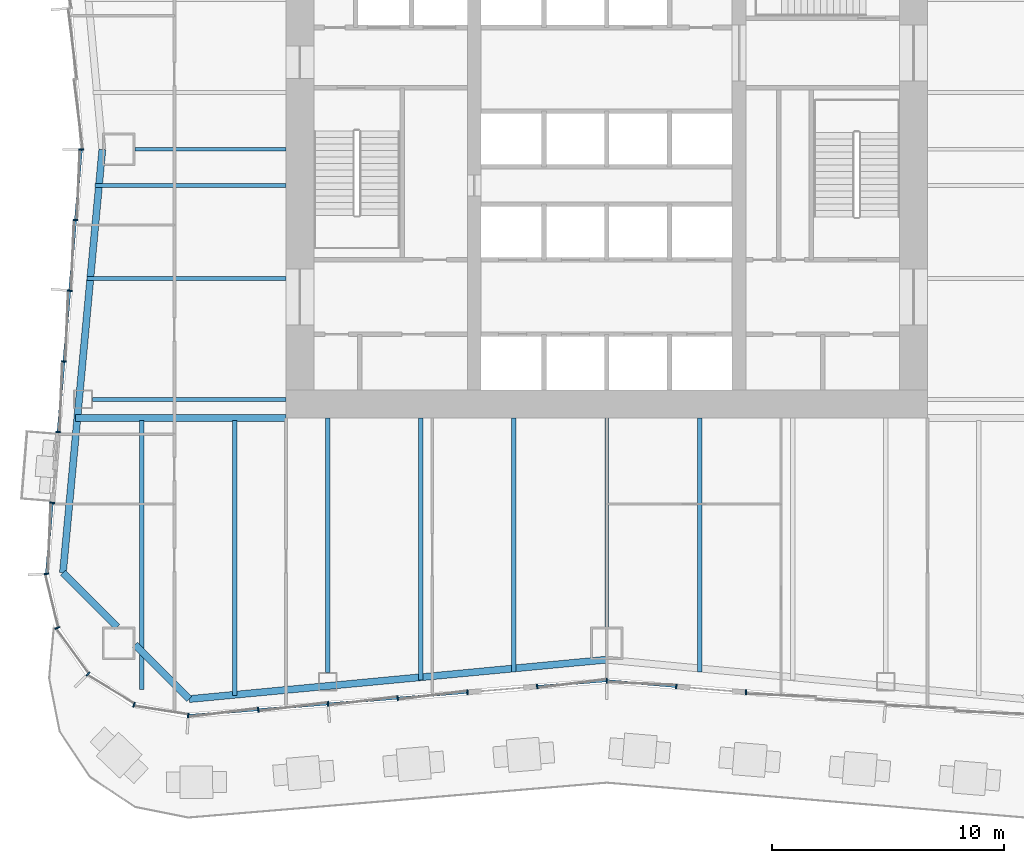
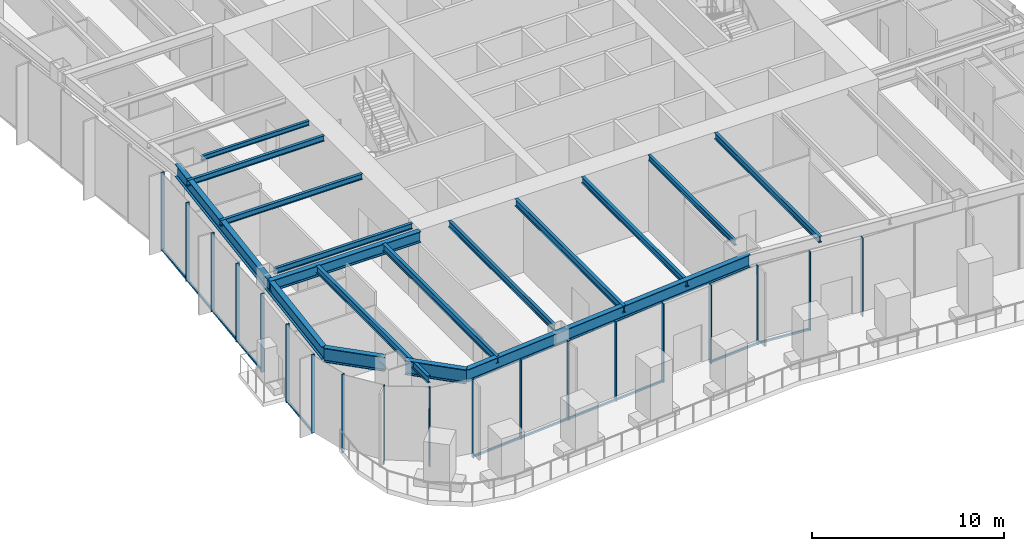
# One storey, part 2 of 15: 24 members, 16 beams, 3 elements without a shape of their own.
"""IFC4 building model written with IfcOpenShell, lengths in metres."""

import ifcopenshell
import ifcopenshell.guid

model = None  # the IFC model being written
_history = None  # IfcOwnerHistory: only IFC2X3 demands one
_inside = {}  # id of a spatial element -> (the spatial element, [elements in it])
_under = {}  # id of a project, library or spatial element -> (it, [spatial elements below it])
_declared = {}  # id of a project -> (the project, [libraries it declares])
_typed = {}  # id of a type object -> (the type object, [elements of that type])
_made_of = {}  # id of a material, layer set ... -> (it, [elements and type objects made of it])


def new_model(schema):
    """Start an empty IFC model of exactly this schema.

    Asked for "IFC4X3", IfcOpenShell would pick the latest addendum, in which some entities
    have other attributes; the version numbers below select the first issue.
    IFC2X3 requires an IfcOwnerHistory on every rooted entity: one is made here for all.
    """
    global model, _history
    if schema == "IFC4X3":
        model = ifcopenshell.file(schema_version=(4, 3, 0, 0))
    else:
        model = ifcopenshell.file(schema=schema)
    _inside.clear()
    _under.clear()
    _declared.clear()
    _typed.clear()
    _made_of.clear()
    _history = None
    if model.schema == "IFC2X3":
        org = make("IfcOrganization", Name="unknown")
        user = make(
            "IfcPersonAndOrganization",
            ThePerson=make("IfcPerson", FamilyName="unknown"),
            TheOrganization=org,
        )
        app = make(
            "IfcApplication",
            ApplicationDeveloper=org,
            Version="unknown",
            ApplicationFullName="unknown",
            ApplicationIdentifier="unknown",
        )
        _history = make(
            "IfcOwnerHistory",
            OwningUser=user,
            OwningApplication=app,
            ChangeAction="ADDED",
            CreationDate=0,
        )
    return model


def make(cls, **values):
    """One entity of the class cls with the attributes given. An attribute that is None is left unset."""
    return model.create_entity(
        cls, **{name: value for name, value in values.items() if value is not None}
    )


def rooted(cls, **values):
    """An entity with a GlobalId (a new one), such as an element, a storey or a relation."""
    return make(cls, GlobalId=ifcopenshell.guid.new(), OwnerHistory=_history, **values)


def si_unit(unit_type, name, prefix=None):
    """IfcSIUnit, for example si_unit("LENGTHUNIT", "METRE", prefix="MILLI")."""
    return make("IfcSIUnit", UnitType=unit_type, Prefix=prefix, Name=name)


def assignment(units):
    """IfcUnitAssignment: the units of a project."""
    return None if units is None else make("IfcUnitAssignment", Units=units)


def point(xyz):
    """IfcCartesianPoint."""
    return None if xyz is None else make("IfcCartesianPoint", Coordinates=xyz)


def direction(xyz):
    """IfcDirection."""
    return None if xyz is None else make("IfcDirection", DirectionRatios=xyz)


def frame(location, z_axis=None, x_axis=None):
    """IfcAxis2Placement3D, a coordinate frame: its origin and axes. An axis left out is left unset."""
    return make(
        "IfcAxis2Placement3D",
        Location=point(location),
        Axis=direction(z_axis),
        RefDirection=direction(x_axis),
    )


def frame_2d(location, x_axis=None):
    """IfcAxis2Placement2D, a coordinate frame in the plane: its origin and x axis."""
    return make(
        "IfcAxis2Placement2D", Location=point(location), RefDirection=direction(x_axis)
    )


def origin():
    """The frame at (0, 0, 0) with its axes left unset."""
    return frame((0.0, 0.0, 0.0))


def origin_2d():
    """The frame at (0, 0) in the plane with its x axis left unset."""
    return frame_2d((0.0, 0.0))


def place(relative_to, where):
    """IfcLocalPlacement: puts the frame where relative to a parent placement (None: the world)."""
    return make(
        "IfcLocalPlacement", PlacementRelTo=relative_to, RelativePlacement=where
    )


def context(
    kind, dimensions, precision=None, world=None, true_north=None, identifier=None
):
    """IfcGeometricRepresentationContext, for example the 3D "Model" context."""
    return make(
        "IfcGeometricRepresentationContext",
        ContextIdentifier=identifier,
        ContextType=kind,
        CoordinateSpaceDimension=dimensions,
        Precision=precision,
        WorldCoordinateSystem=world,
        TrueNorth=true_north,
    )


def subcontext(parent, identifier, kind, view, scale=None):
    """IfcGeometricRepresentationSubContext, for example "Body" below "Model"."""
    return make(
        "IfcGeometricRepresentationSubContext",
        ContextIdentifier=identifier,
        ContextType=kind,
        ParentContext=parent,
        TargetScale=scale,
        TargetView=view,
    )


def project(units=None, contexts=None):
    """IfcProject with its units and contexts."""
    return rooted(
        "IfcProject",
        Name="project",
        RepresentationContexts=contexts,
        UnitsInContext=assignment(units),
    )


def spatial(cls, under=None, at=None, **own):
    """A site, building, storey or space (cls), placed at a placement, below another one or the project."""
    s = rooted(cls, ObjectPlacement=at, **own)
    if under is not None:
        _under.setdefault(under.id(), (under, []))[1].append(s)
    return s


def profile(cls, at=None, kind="AREA", **sizes):
    """A parametric profile (cls). Its sizes go by their IFC names, for example OverallWidth=200.0."""
    return make(cls, ProfileType=kind, Position=at, **sizes)


def rectangle(**sizes):
    """IfcRectangleProfileDef."""
    return profile("IfcRectangleProfileDef", **sizes)


def i_section(**sizes):
    """IfcIShapeProfileDef."""
    return profile("IfcIShapeProfileDef", **sizes)


def extrude(swept, where, along, depth):
    """IfcExtrudedAreaSolid: the profile swept, set in the frame where, extruded along a direction by depth."""
    return make(
        "IfcExtrudedAreaSolid",
        SweptArea=swept,
        Position=where,
        ExtrudedDirection=direction(along),
        Depth=depth,
    )


def shape(context_of_items, identifier, shape_type, items):
    """IfcShapeRepresentation: the items that make up one representation, for example the "Body"."""
    return make(
        "IfcShapeRepresentation",
        ContextOfItems=context_of_items,
        RepresentationIdentifier=identifier,
        RepresentationType=shape_type,
        Items=items,
    )


def material(Name=None, Category=None):
    """IfcMaterial."""
    return make("IfcMaterial", Name=Name, Category=Category)


def material_profile(
    of_material, cross_section, Name=None, Category=None, Priority=None
):
    """IfcMaterialProfile: a cross section and its material."""
    return make(
        "IfcMaterialProfile",
        Name=Name,
        Material=of_material,
        Profile=cross_section,
        Priority=Priority,
        Category=Category,
    )


def profile_set(profiles, Name=None, composite=None):
    """IfcMaterialProfileSet."""
    return make(
        "IfcMaterialProfileSet",
        Name=Name,
        MaterialProfiles=profiles,
        CompositeProfile=composite,
    )


def made_of(thing, what):
    """Note that an element or type object is made of a material, layer set ...; save() writes the relation."""
    if what is not None:
        _made_of.setdefault(what.id(), (what, []))[1].append(thing)
    return thing


def type_object(cls, material=None, **own):
    """A type object (cls), such as IfcWallType, which elements share."""
    return made_of(rooted(cls, **own), material)


def element(
    cls,
    number,
    at=None,
    inside=None,
    cuts=None,
    type_object=None,
    material=None,
    context=None,
    identifier="Body",
    shape_type=None,
    held_by="IfcProductDefinitionShape",
    body=None,
    shapes=None,
    **own,
):
    """One element of the class cls, such as IfcWall. Its Tag is "e" and its number.

    at: its placement. inside: the storey or other place that contains it. cuts: it is an
    opening in that element (IfcRelVoidsElement). A single representation is given by context,
    identifier, shape_type and body (its items); several are given by shapes. held_by: the class
    of the entity that holds the representations. save() writes the other relations.
    """
    e = rooted(cls, Tag="e%d" % number, ObjectPlacement=at, **own)
    if body is not None:
        shapes = [shape(context, identifier, shape_type, body)]
    if shapes is not None:
        e.Representation = make(held_by, Representations=shapes)
    if inside is not None:
        _inside.setdefault(inside.id(), (inside, []))[1].append(e)
    if cuts is not None:
        rooted(
            "IfcRelVoidsElement", RelatingBuildingElement=cuts, RelatedOpeningElement=e
        )
    if type_object is not None:
        _typed.setdefault(type_object.id(), (type_object, []))[1].append(e)
    return made_of(e, material)


def aggregate(whole, parts):
    """IfcRelAggregates: a whole, such as a stair, and the parts it consists of."""
    return rooted("IfcRelAggregates", RelatingObject=whole, RelatedObjects=parts)


def save(model, path):
    """Write the relations noted so far, then the file.

    IfcRelAggregates (storeys below a building ...), IfcRelContainedInSpatialStructure (elements
    in a storey), IfcRelDefinesByType, IfcRelAssociatesMaterial and IfcRelDeclares: one each for
    every whole, place, type object, material and project.
    """
    for whole, parts in _under.values():
        aggregate(whole, parts)
    for where, things in _inside.values():
        rooted(
            "IfcRelContainedInSpatialStructure",
            RelatedElements=things,
            RelatingStructure=where,
        )
    for kind, things in _typed.values():
        rooted("IfcRelDefinesByType", RelatedObjects=things, RelatingType=kind)
    for what, things in _made_of.values():
        rooted("IfcRelAssociatesMaterial", RelatedObjects=things, RelatingMaterial=what)
    for by, libraries in _declared.values():
        rooted("IfcRelDeclares", RelatingContext=by, RelatedDefinitions=libraries)
    model.write(path)


model = new_model("IFC4")

# Units and contexts
model_context = context("Model", 3, precision=1e-05, world=origin(), true_north=direction((0.0, 1.0)))
body_context = subcontext(model_context, "Body", "Model", "MODEL_VIEW")
ifc_project = project(units=[si_unit("LENGTHUNIT", "METRE"), si_unit("AREAUNIT", "SQUARE_METRE"), si_unit("VOLUMEUNIT", "CUBIC_METRE"), si_unit("PLANEANGLEUNIT", "RADIAN"), si_unit("MASSUNIT", "GRAM", prefix="KILO")], contexts=[model_context])

# Site, building, storey
site_placement = place(None, origin())
site = spatial("IfcSite", under=ifc_project, at=site_placement, CompositionType="ELEMENT")
building_placement = place(site_placement, origin())
building = spatial("IfcBuilding", under=site, at=building_placement, Name="Verdant Reach Tower", CompositionType="ELEMENT")
storey_placement = place(building_placement, frame((0.0, 0.0, 65.0)))
storey = spatial("IfcBuildingStorey", under=building, at=storey_placement, Name="L14", CompositionType="ELEMENT", Elevation=65.0)

# Curtain wall, members
ifc_material_1 = material(Name="Anodised aluminium", Category="aluminium")
curtain_wall_type = type_object("IfcCurtainWallType", Name="EN-CW SYSTEM Z1", PredefinedType="NOTDEFINED", material=ifc_material_1)
curtain_wall_1_placement = place(storey_placement, origin())
curtain_wall_1 = element("IfcCurtainWall", 1, at=curtain_wall_1_placement, inside=storey, type_object=curtain_wall_type, Name="Curtain wall west, L14", PredefinedType="NOTDEFINED")
ifc_material_profile_1 = material_profile(ifc_material_1, rectangle(XDim=0.2060546875, YDim=0.06201171875, at=origin_2d()), Name="Mullion 62x206")
ifc_profile_set_1 = profile_set([ifc_material_profile_1], Name="Anodised aluminium")
member_type_1 = type_object("IfcMemberType", Name="EN-MULLION Z1", PredefinedType="MULLION", material=ifc_profile_set_1)
member_1_placement = place(storey_placement, frame((-22.60302734375, 28.75, -0.35009765625), z_axis=(0.0, 0.0, 1.0), x_axis=(-1.0, 0.0, 0.0)))
member_1 = element("IfcMember", 2, at=member_1_placement, type_object=member_type_1, Name="Mullion west face part 2 1, L14", PredefinedType="MULLION", context=body_context, shape_type="SweptSolid", body=[
    extrude(rectangle(XDim=0.2060546875, YDim=0.06201171875, at=origin_2d()), origin(), (0.0, 0.0, 1.0), 5.0),
])
member_2_placement = place(storey_placement, frame((-22.8525390625, 25.716796875, -0.35009765625), z_axis=(0.0, 0.0, 1.0), x_axis=(-0.996639273542, 0.081915556724, 0.0)))
member_2 = element("IfcMember", 3, at=member_2_placement, type_object=member_type_1, Name="Mullion west face part 2 2, L14", PredefinedType="MULLION", context=body_context, shape_type="SweptSolid", body=[
    extrude(rectangle(XDim=0.2060546875, YDim=0.06201171875, at=origin_2d()), origin(), (0.0, 0.0, 1.0), 5.0),
])
member_3_placement = place(storey_placement, frame((-23.1025390625, 22.675048828125, -0.35009765625), z_axis=(0.0, 0.0, 1.0), x_axis=(-0.996639273542, 0.081915556724, 0.0)))
member_3 = element("IfcMember", 4, at=member_3_placement, type_object=member_type_1, Name="Mullion west face part 2 3, L14", PredefinedType="MULLION", context=body_context, shape_type="SweptSolid", body=[
    extrude(rectangle(XDim=0.2060546875, YDim=0.06201171875, at=origin_2d()), origin(), (0.0, 0.0, 1.0), 5.0),
])
member_4_placement = place(storey_placement, frame((-23.3525390625, 19.633544921875, -0.35009765625), z_axis=(0.0, 0.0, 1.0), x_axis=(-0.996639273542, 0.081915556724, 0.0)))
member_4 = element("IfcMember", 5, at=member_4_placement, type_object=member_type_1, Name="Mullion west face part 2 4, L14", PredefinedType="MULLION", context=body_context, shape_type="SweptSolid", body=[
    extrude(rectangle(XDim=0.2060546875, YDim=0.06201171875, at=origin_2d()), origin(), (0.0, 0.0, 1.0), 5.0),
])
member_5_placement = place(storey_placement, frame((-23.6025390625, 16.591796875, -0.35009765625), z_axis=(0.0, 0.0, 1.0), x_axis=(-0.996639273542, 0.081915556724, 0.0)))
member_5 = element("IfcMember", 6, at=member_5_placement, type_object=member_type_1, Name="Mullion west face part 2 5, L14", PredefinedType="MULLION", context=body_context, shape_type="SweptSolid", body=[
    extrude(rectangle(XDim=0.2060546875, YDim=0.06201171875, at=origin_2d()), origin(), (0.0, 0.0, 1.0), 5.0),
])
member_6_placement = place(storey_placement, frame((-23.8525390625, 13.550048828125, -0.35009765625), z_axis=(0.0, 0.0, 1.0), x_axis=(-0.996639273542, 0.081915556724, 0.0)))
member_6 = element("IfcMember", 7, at=member_6_placement, type_object=member_type_1, Name="Mullion west face part 2 6, L14", PredefinedType="MULLION", context=body_context, shape_type="SweptSolid", body=[
    extrude(rectangle(XDim=0.2060546875, YDim=0.06201171875, at=origin_2d()), origin(), (0.0, 0.0, 1.0), 5.0),
])

curtain_wall_2_placement = place(storey_placement, origin())
curtain_wall_2 = element("IfcCurtainWall", 8, at=curtain_wall_2_placement, inside=storey, type_object=curtain_wall_type, Name="Curtain wall south-west corner, L14", PredefinedType="NOTDEFINED")
member_7_placement = place(storey_placement, frame((-24.102783203125, 10.494140625, -0.35009765625), z_axis=(0.0, 0.0, 1.0), x_axis=(-0.998366452275, -0.057135164055, 0.0)))
member_7 = element("IfcMember", 9, at=member_7_placement, type_object=member_type_1, Name="Mullion south-west corner 1, L14", PredefinedType="MULLION", context=body_context, shape_type="SweptSolid", body=[
    extrude(rectangle(XDim=0.2060546875, YDim=0.06201171875, at=origin_2d()), origin(), (0.0, 0.0, 1.0), 5.0),
])
member_8_placement = place(storey_placement, frame((-23.638427734375, 8.16455078125, -0.35009765625), z_axis=(0.0, 0.0, 1.0), x_axis=(-0.923875215753, -0.382693853776, 0.0)))
member_8 = element("IfcMember", 10, at=member_8_placement, type_object=member_type_1, Name="Mullion south-west corner 2, L14", PredefinedType="MULLION", context=body_context, shape_type="SweptSolid", body=[
    extrude(rectangle(XDim=0.2060546875, YDim=0.06201171875, at=origin_2d()), origin(), (0.0, 0.0, 1.0), 5.0),
])
member_9_placement = place(storey_placement, frame((-22.3154296875, 6.1845703125, -0.35009765625), z_axis=(0.0, 0.0, 1.0), x_axis=(-0.707106781187, -0.707106781187, 0.0)))
member_9 = element("IfcMember", 11, at=member_9_placement, type_object=member_type_1, Name="Mullion south-west corner 3, L14", PredefinedType="MULLION", context=body_context, shape_type="SweptSolid", body=[
    extrude(rectangle(XDim=0.2060546875, YDim=0.06201171875, at=origin_2d()), origin(), (0.0, 0.0, 1.0), 5.0),
])
member_10_placement = place(storey_placement, frame((-20.33544921875, 4.861572265625, -0.35009765625), z_axis=(0.0, 0.0, 1.0), x_axis=(-0.382693853776, -0.923875215753, 0.0)))
member_10 = element("IfcMember", 12, at=member_10_placement, type_object=member_type_1, Name="Mullion south-west corner 4, L14", PredefinedType="MULLION", context=body_context, shape_type="SweptSolid", body=[
    extrude(rectangle(XDim=0.2060546875, YDim=0.06201171875, at=origin_2d()), origin(), (0.0, 0.0, 1.0), 5.0),
])
aggregate(curtain_wall_2, [member_7, member_8, member_9, member_10])

curtain_wall_3_placement = place(storey_placement, origin())
curtain_wall_3 = element("IfcCurtainWall", 13, at=curtain_wall_3_placement, inside=storey, type_object=curtain_wall_type, Name="Curtain wall south, L14", PredefinedType="NOTDEFINED")
member_11_placement = place(storey_placement, frame((-18.005859375, 4.397216796875, -0.35009765625), z_axis=(0.0, 0.0, 1.0), x_axis=(-0.056569187765, -0.998398681387, 0.0)))
member_11 = element("IfcMember", 14, at=member_11_placement, type_object=member_type_1, Name="Mullion south face part 1 1, L14", PredefinedType="MULLION", context=body_context, shape_type="SweptSolid", body=[
    extrude(rectangle(XDim=0.2060546875, YDim=0.06201171875, at=origin_2d()), origin(), (0.0, 0.0, 1.0), 5.0),
])
member_12_placement = place(storey_placement, frame((-14.991455078125, 4.6474609375, -0.35009765625), z_axis=(0.0, 0.0, 1.0), x_axis=(0.083045479859, -0.996545758244, 0.0)))
member_12 = element("IfcMember", 15, at=member_12_placement, type_object=member_type_1, Name="Mullion south face part 1 2, L14", PredefinedType="MULLION", context=body_context, shape_type="SweptSolid", body=[
    extrude(rectangle(XDim=0.2060546875, YDim=0.06201171875, at=origin_2d()), origin(), (0.0, 0.0, 1.0), 5.0),
])
member_13_placement = place(storey_placement, frame((-11.991455078125, 4.8974609375, -0.35009765625), z_axis=(0.0, 0.0, 1.0), x_axis=(0.083045479859, -0.996545758244, 0.0)))
member_13 = element("IfcMember", 16, at=member_13_placement, type_object=member_type_1, Name="Mullion south face part 1 3, L14", PredefinedType="MULLION", context=body_context, shape_type="SweptSolid", body=[
    extrude(rectangle(XDim=0.2060546875, YDim=0.06201171875, at=origin_2d()), origin(), (0.0, 0.0, 1.0), 5.0),
])
member_14_placement = place(storey_placement, frame((-8.991455078125, 5.1474609375, -0.35009765625), z_axis=(0.0, 0.0, 1.0), x_axis=(0.083045479859, -0.996545758244, 0.0)))
member_14 = element("IfcMember", 17, at=member_14_placement, type_object=member_type_1, Name="Mullion south face part 1 4, L14", PredefinedType="MULLION", context=body_context, shape_type="SweptSolid", body=[
    extrude(rectangle(XDim=0.2060546875, YDim=0.06201171875, at=origin_2d()), origin(), (0.0, 0.0, 1.0), 5.0),
])
member_15_placement = place(storey_placement, frame((-5.991455078125, 5.3974609375, -0.35009765625), z_axis=(0.0, 0.0, 1.0), x_axis=(0.083045479859, -0.996545758244, 0.0)))
member_15 = element("IfcMember", 18, at=member_15_placement, type_object=member_type_1, Name="Mullion south face part 1 5, L14", PredefinedType="MULLION", context=body_context, shape_type="SweptSolid", body=[
    extrude(rectangle(XDim=0.2060546875, YDim=0.06201171875, at=origin_2d()), origin(), (0.0, 0.0, 1.0), 5.0),
])
member_16_placement = place(storey_placement, frame((-2.991455078125, 5.6474609375, -0.35009765625), z_axis=(0.0, 0.0, 1.0), x_axis=(0.083045479859, -0.996545758244, 0.0)))
member_16 = element("IfcMember", 19, at=member_16_placement, type_object=member_type_1, Name="Mullion south face part 1 6, L14", PredefinedType="MULLION", context=body_context, shape_type="SweptSolid", body=[
    extrude(rectangle(XDim=0.2060546875, YDim=0.06201171875, at=origin_2d()), origin(), (0.0, 0.0, 1.0), 5.0),
])
member_17_placement = place(storey_placement, frame((0.0, 5.89697265625, -0.35009765625), z_axis=(0.0, 0.0, 1.0), x_axis=(0.0, -1.0, 0.0)))
member_17 = element("IfcMember", 20, at=member_17_placement, type_object=member_type_1, Name="Mullion south face part 2 1, L14", PredefinedType="MULLION", context=body_context, shape_type="SweptSolid", body=[
    extrude(rectangle(XDim=0.2060546875, YDim=0.06201171875, at=origin_2d()), origin(), (0.0, 0.0, 1.0), 5.0),
])
member_18_placement = place(storey_placement, frame((2.991455078125, 5.6474609375, -0.35009765625), z_axis=(0.0, 0.0, 1.0), x_axis=(-0.083045479859, -0.996545758244, 0.0)))
member_18 = element("IfcMember", 21, at=member_18_placement, type_object=member_type_1, Name="Mullion south face part 2 2, L14", PredefinedType="MULLION", context=body_context, shape_type="SweptSolid", body=[
    extrude(rectangle(XDim=0.2060546875, YDim=0.06201171875, at=origin_2d()), origin(), (0.0, 0.0, 1.0), 5.0),
])
member_19_placement = place(storey_placement, frame((5.991455078125, 5.3974609375, -0.35009765625), z_axis=(0.0, 0.0, 1.0), x_axis=(-0.083045479859, -0.996545758244, 0.0)))
member_19 = element("IfcMember", 22, at=member_19_placement, type_object=member_type_1, Name="Mullion south face part 2 3, L14", PredefinedType="MULLION", context=body_context, shape_type="SweptSolid", body=[
    extrude(rectangle(XDim=0.2060546875, YDim=0.06201171875, at=origin_2d()), origin(), (0.0, 0.0, 1.0), 5.0),
])

# Member
ifc_material_profile_2 = material_profile(ifc_material_1, rectangle(XDim=0.10009765625, YDim=0.1220703125, at=origin_2d()), Name="Transom 122x100")
ifc_profile_set_2 = profile_set([ifc_material_profile_2], Name="Anodised aluminium")
member_type_2 = type_object("IfcMemberType", Name="EN-TRANSOM Z1", PredefinedType="USERDEFINED", material=ifc_profile_set_2)
member_20_placement = place(storey_placement, frame((-22.60546875, 28.718994140625, -0.2890625), z_axis=(-0.081948400518, -0.996636573507, 0.0), x_axis=(0.996636573507, -0.081948400518, 0.0)))
member_20 = element("IfcMember", 23, at=member_20_placement, type_object=member_type_2, Name="Transom west face part 2 1.1, L14", ObjectType="TRANSOM", PredefinedType="USERDEFINED", context=body_context, shape_type="SweptSolid", body=[
    extrude(rectangle(XDim=0.10009765625, YDim=0.1220703125, at=origin_2d()), origin(), (0.0, 0.0, 1.0), 12.13720703125),
])

member_21_placement = place(storey_placement, frame((-23.855224609375, 13.519287109375, -0.2890625), z_axis=(-0.081586055135, -0.996666301029, 0.0), x_axis=(0.996666301029, -0.081586055135, 0.0)))
member_21 = element("IfcMember", 24, at=member_21_placement, type_object=member_type_2, Name="Transom west face part 2 2.1, L14", ObjectType="TRANSOM", PredefinedType="USERDEFINED", context=body_context, shape_type="SweptSolid", body=[
    extrude(rectangle(XDim=0.10009765625, YDim=0.1220703125, at=origin_2d()), origin(), (0.0, 0.0, 1.0), 3.00439453125),
])

aggregate(curtain_wall_1, [member_1, member_2, member_3, member_4, member_5, member_6, member_20, member_21])

member_22_placement = place(storey_placement, frame((-17.974853515625, 4.399658203125, -0.2890625), z_axis=(0.996552072636, 0.082969672326, 0.0), x_axis=(-0.082969672326, 0.996552072636, 0.0)))
member_22 = element("IfcMember", 25, at=member_22_placement, type_object=member_type_2, Name="Transom south face part 1 1.1, L14", ObjectType="TRANSOM", PredefinedType="USERDEFINED", context=body_context, shape_type="SweptSolid", body=[
    extrude(rectangle(XDim=0.10009765625, YDim=0.1220703125, at=origin_2d()), origin(), (0.0, 0.0, 1.0), 11.99365234375),
])

member_23_placement = place(storey_placement, frame((-2.96044921875, 5.64990234375, -0.2890625), z_axis=(0.996531424257, 0.083217308701, 0.0), x_axis=(-0.083217308701, 0.996531424257, 0.0)))
member_23 = element("IfcMember", 26, at=member_23_placement, type_object=member_type_2, Name="Transom south face part 1 2.1, L14", ObjectType="TRANSOM", PredefinedType="USERDEFINED", context=body_context, shape_type="SweptSolid", body=[
    extrude(rectangle(XDim=0.10009765625, YDim=0.1220703125, at=origin_2d()), origin(), (0.0, 0.0, 1.0), 2.939697265625),
])

member_24_placement = place(storey_placement, frame((0.031005859375, 5.89453125, -0.2890625), z_axis=(0.996531424257, -0.083217308701, 0.0), x_axis=(0.083217308701, 0.996531424257, 0.0)))
member_24 = element("IfcMember", 27, at=member_24_placement, type_object=member_type_2, Name="Transom south face part 2 1.1, L14", ObjectType="TRANSOM", PredefinedType="USERDEFINED", context=body_context, shape_type="SweptSolid", body=[
    extrude(rectangle(XDim=0.10009765625, YDim=0.1220703125, at=origin_2d()), origin(), (0.0, 0.0, 1.0), 2.939697265625),
])

aggregate(curtain_wall_3, [member_11, member_12, member_13, member_14, member_15, member_16, member_22, member_23, member_17, member_18, member_19, member_24])

# Beams
ifc_material_2 = material(Name="Steel S355", Category="steel")
ifc_material_profile_3 = material_profile(ifc_material_2, i_section(OverallWidth=0.300048828125, OverallDepth=0.699951171875, WebThickness=0.01708984375, FlangeThickness=0.031982421875, FilletRadius=0.027099609375, at=origin_2d()), Name="HEB 700")
ifc_profile_set_3 = profile_set([ifc_material_profile_3], Name="Steel S355")
beam_type_1 = type_object("IfcBeamType", Name="ST-BEAM-HEB700", PredefinedType="BEAM", material=ifc_profile_set_3)
beam_1_placement = place(storey_placement, frame((-13.800048828125, 17.199951171875, 4.52001953125), z_axis=(-1.0, 0.0, 0.0), x_axis=(0.0, -1.0, 0.0)))
element("IfcBeam", 28, at=beam_1_placement, inside=storey, type_object=beam_type_1, Name="Trimmer beam, L14", PredefinedType="BEAM", context=body_context, shape_type="SweptSolid", body=[
    extrude(i_section(OverallWidth=0.300048828125, OverallDepth=0.699951171875, WebThickness=0.01708984375, FlangeThickness=0.031982421875, FilletRadius=0.027099609375, at=origin_2d()), origin(), (0.0, 0.0, 1.0), 9.04736328125),
])
ifc_material_profile_4 = material_profile(ifc_material_2, i_section(OverallWidth=0.14990234375, OverallDepth=0.300048828125, WebThickness=0.007080078125, FlangeThickness=0.0107421875, FilletRadius=0.014892578125, at=origin_2d()), Name="IPE 300")
ifc_profile_set_4 = profile_set([ifc_material_profile_4], Name="Steel S355")
beam_type_2 = type_object("IfcBeamType", Name="ST-JOIST-IPE300", PredefinedType="JOIST", material=ifc_profile_set_4)
beam_2_placement = place(storey_placement, frame((-13.800048828125, 28.75, 4.719970703125), z_axis=(-1.0, 0.0, 0.0), x_axis=(0.0, -1.0, 0.0)))
element("IfcBeam", 29, at=beam_2_placement, inside=storey, type_object=beam_type_2, Name="Floor joist, L14", PredefinedType="JOIST", context=body_context, shape_type="SweptSolid", body=[
    extrude(i_section(OverallWidth=0.14990234375, OverallDepth=0.300048828125, WebThickness=0.007080078125, FlangeThickness=0.0107421875, FilletRadius=0.014892578125, at=origin_2d()), origin(), (0.0, 0.0, 1.0), 6.5),
])
ifc_material_profile_5 = material_profile(ifc_material_2, i_section(OverallWidth=0.169921875, OverallDepth=0.360107421875, WebThickness=0.008056640625, FlangeThickness=0.0126953125, FilletRadius=0.01806640625, at=origin_2d()), Name="IPE 360")
ifc_profile_set_5 = profile_set([ifc_material_profile_5], Name="Steel S355")
beam_type_3 = type_object("IfcBeamType", Name="ST-JOIST-IPE360", PredefinedType="JOIST", material=ifc_profile_set_5)
beam_3_placement = place(storey_placement, frame((0.0, 17.199951171875, 4.68994140625), z_axis=(0.0, -1.0, 0.0), x_axis=(1.0, 0.0, 0.0)))
element("IfcBeam", 30, at=beam_3_placement, inside=storey, type_object=beam_type_3, Name="Floor joist, L14", PredefinedType="JOIST", context=body_context, shape_type="SweptSolid", body=[
    extrude(i_section(OverallWidth=0.169921875, OverallDepth=0.360107421875, WebThickness=0.008056640625, FlangeThickness=0.0126953125, FilletRadius=0.01806640625, at=origin_2d()), origin(), (0.0, 0.0, 1.0), 9.0),
])
beam_4_placement = place(storey_placement, frame((-13.800048828125, 18.0, 4.68994140625), z_axis=(-1.0, 0.0, 0.0), x_axis=(0.0, -1.0, 0.0)))
element("IfcBeam", 31, at=beam_4_placement, inside=storey, type_object=beam_type_3, Name="Floor joist, L14", PredefinedType="JOIST", context=body_context, shape_type="SweptSolid", body=[
    extrude(i_section(OverallWidth=0.169921875, OverallDepth=0.360107421875, WebThickness=0.008056640625, FlangeThickness=0.0126953125, FilletRadius=0.01806640625, at=origin_2d()), origin(), (0.0, 0.0, 1.0), 8.33349609375),
])
beam_5_placement = place(storey_placement, frame((-13.800048828125, 23.199951171875, 4.68994140625), z_axis=(-1.0, 0.0, 0.0), x_axis=(0.0, -1.0, 0.0)))
element("IfcBeam", 32, at=beam_5_placement, inside=storey, type_object=beam_type_3, Name="Floor joist, L14", PredefinedType="JOIST", context=body_context, shape_type="SweptSolid", body=[
    extrude(i_section(OverallWidth=0.169921875, OverallDepth=0.360107421875, WebThickness=0.008056640625, FlangeThickness=0.0126953125, FilletRadius=0.01806640625, at=origin_2d()), origin(), (0.0, 0.0, 1.0), 8.553955078125),
])
beam_6_placement = place(storey_placement, frame((-13.800048828125, 27.199951171875, 4.68994140625), z_axis=(-1.0, 0.0, 0.0), x_axis=(0.0, -1.0, 0.0)))
element("IfcBeam", 33, at=beam_6_placement, inside=storey, type_object=beam_type_3, Name="Floor joist, L14", PredefinedType="JOIST", context=body_context, shape_type="SweptSolid", body=[
    extrude(i_section(OverallWidth=0.169921875, OverallDepth=0.360107421875, WebThickness=0.008056640625, FlangeThickness=0.0126953125, FilletRadius=0.01806640625, at=origin_2d()), origin(), (0.0, 0.0, 1.0), 8.225341796875),
])
ifc_material_profile_6 = material_profile(ifc_material_2, i_section(OverallWidth=0.179931640625, OverallDepth=0.39990234375, WebThickness=0.008544921875, FlangeThickness=0.013427734375, FilletRadius=0.02099609375, at=origin_2d()), Name="IPE 400")
ifc_profile_set_6 = profile_set([ifc_material_profile_6], Name="Steel S355")
beam_type_4 = type_object("IfcBeamType", Name="ST-JOIST-IPE400", PredefinedType="JOIST", material=ifc_profile_set_6)
beam_7_placement = place(storey_placement, frame((-12.0, 17.199951171875, 4.669921875), z_axis=(0.0, -1.0, 0.0), x_axis=(1.0, 0.0, 0.0)))
element("IfcBeam", 34, at=beam_7_placement, inside=storey, type_object=beam_type_4, Name="Floor joist, L14", PredefinedType="JOIST", context=body_context, shape_type="SweptSolid", body=[
    extrude(i_section(OverallWidth=0.179931640625, OverallDepth=0.39990234375, WebThickness=0.008544921875, FlangeThickness=0.013427734375, FilletRadius=0.02099609375, at=origin_2d()), origin(), (0.0, 0.0, 1.0), 10.949951171875),
])
for number, where, z_axis, x_axis, name in (
    (35, (-4.0, 17.199951171875, 4.669921875), (0.0, -1.0, 0.0), (1.0, 0.0, 0.0), "Floor joist, L14"),
    (36, (4.0, 17.199951171875, 4.669921875), (0.0, -1.0, 0.0), (1.0, 0.0, 0.0), "Floor joist, L14"),
):
    element("IfcBeam", number, at=place(storey_placement, frame(where, z_axis=z_axis, x_axis=x_axis)), inside=storey, type_object=beam_type_4, Name=name, PredefinedType="JOIST", context=body_context, shape_type="SweptSolid", body=[
        extrude(i_section(OverallWidth=0.179931640625, OverallDepth=0.39990234375, WebThickness=0.008544921875, FlangeThickness=0.013427734375, FilletRadius=0.02099609375, at=origin_2d()), origin(), (0.0, 0.0, 1.0), 10.93115234375),
    ])
ifc_material_profile_7 = material_profile(ifc_material_2, i_section(OverallWidth=0.18994140625, OverallDepth=0.449951171875, WebThickness=0.009521484375, FlangeThickness=0.0146484375, FilletRadius=0.02099609375, at=origin_2d()), Name="IPE 450")
ifc_profile_set_7 = profile_set([ifc_material_profile_7], Name="Steel S355")
beam_type_5 = type_object("IfcBeamType", Name="ST-JOIST-IPE450", PredefinedType="JOIST", material=ifc_profile_set_7)
beam_8_placement = place(storey_placement, frame((-20.0, 17.10009765625, 4.64501953125), z_axis=(0.0, -1.0, 0.0), x_axis=(1.0, 0.0, 0.0)))
element("IfcBeam", 37, at=beam_8_placement, inside=storey, type_object=beam_type_5, Name="Floor joist, L14", PredefinedType="JOIST", context=body_context, shape_type="SweptSolid", body=[
    extrude(i_section(OverallWidth=0.18994140625, OverallDepth=0.449951171875, WebThickness=0.009521484375, FlangeThickness=0.0146484375, FilletRadius=0.02099609375, at=origin_2d()), origin(), (0.0, 0.0, 1.0), 11.590576171875),
])
beam_9_placement = place(storey_placement, frame((-16.0, 17.10009765625, 4.64501953125), z_axis=(0.0, -1.0, 0.0), x_axis=(1.0, 0.0, 0.0)))
element("IfcBeam", 38, at=beam_9_placement, inside=storey, type_object=beam_type_5, Name="Floor joist, L14", PredefinedType="JOIST", context=body_context, shape_type="SweptSolid", body=[
    extrude(i_section(OverallWidth=0.18994140625, OverallDepth=0.449951171875, WebThickness=0.009521484375, FlangeThickness=0.0146484375, FilletRadius=0.02099609375, at=origin_2d()), origin(), (0.0, 0.0, 1.0), 11.831298828125),
])
beam_10_placement = place(storey_placement, frame((-8.0, 17.199951171875, 4.64501953125), z_axis=(0.0, -1.0, 0.0), x_axis=(1.0, 0.0, 0.0)))
element("IfcBeam", 39, at=beam_10_placement, inside=storey, type_object=beam_type_5, Name="Floor joist, L14", PredefinedType="JOIST", context=body_context, shape_type="SweptSolid", body=[
    extrude(i_section(OverallWidth=0.18994140625, OverallDepth=0.449951171875, WebThickness=0.009521484375, FlangeThickness=0.0146484375, FilletRadius=0.02099609375, at=origin_2d()), origin(), (0.0, 0.0, 1.0), 11.2646484375),
])
ifc_material_profile_8 = material_profile(ifc_material_2, i_section(OverallWidth=0.300048828125, OverallDepth=0.800048828125, WebThickness=0.017578125, FlangeThickness=0.032958984375, FilletRadius=0.030029296875, at=origin_2d()), Name="HEB 800")
ifc_profile_set_8 = profile_set([ifc_material_profile_8], Name="Steel S355")
beam_type_6 = type_object("IfcBeamType", Name="ST-SPANDREL-HEB800", PredefinedType="SPANDREL", material=ifc_profile_set_8)
beam_11_placement = place(storey_placement, frame((0.0, 6.800048828125, 4.469970703125), z_axis=(-0.995578571765, -0.093932462137, 0.0), x_axis=(0.093932462137, -0.995578571765, 0.0)))
element("IfcBeam", 40, at=beam_11_placement, inside=storey, type_object=beam_type_6, Name="Edge beam, L14", PredefinedType="SPANDREL", context=body_context, shape_type="SweptSolid", body=[
    extrude(i_section(OverallWidth=0.300048828125, OverallDepth=0.800048828125, WebThickness=0.017578125, FlangeThickness=0.032958984375, FilletRadius=0.030029296875, at=origin_2d()), origin(), (0.0, 0.0, 1.0), 18.045654296875),
])
beam_12_placement = place(storey_placement, frame((-23.39501953125, 10.53466796875, 4.469970703125), z_axis=(0.092656907618, 0.995698095544, 0.0), x_axis=(-0.995698095544, 0.092656907618, 0.0)))
element("IfcBeam", 41, at=beam_12_placement, inside=storey, type_object=beam_type_6, Name="Edge beam, L14", PredefinedType="SPANDREL", context=body_context, shape_type="SweptSolid", body=[
    extrude(i_section(OverallWidth=0.300048828125, OverallDepth=0.800048828125, WebThickness=0.017578125, FlangeThickness=0.032958984375, FilletRadius=0.030029296875, at=origin_2d()), origin(), (0.0, 0.0, 1.0), 18.2939453125),
])
ifc_material_profile_9 = material_profile(ifc_material_2, i_section(OverallWidth=0.302001953125, OverallDepth=0.909912109375, WebThickness=0.02099609375, FlangeThickness=0.0400390625, FilletRadius=0.030029296875, at=origin_2d()), Name="HEM 900")
ifc_profile_set_9 = profile_set([ifc_material_profile_9], Name="Steel S355")
beam_type_7 = type_object("IfcBeamType", Name="ST-SPANDREL-HEM900", PredefinedType="SPANDREL", material=ifc_profile_set_9)
beam_13_placement = place(storey_placement, frame((-17.9658203125, 5.10498046875, 4.4150390625), z_axis=(-0.707106781187, 0.707106781187, 0.0), x_axis=(-0.707106781187, -0.707106781187, 0.0)))
element("IfcBeam", 42, at=beam_13_placement, inside=storey, type_object=beam_type_7, Name="Edge beam, L14", PredefinedType="SPANDREL", context=body_context, shape_type="SweptSolid", body=[
    extrude(i_section(OverallWidth=0.302001953125, OverallDepth=0.909912109375, WebThickness=0.02099609375, FlangeThickness=0.0400390625, FilletRadius=0.030029296875, at=origin_2d()), origin(), (0.0, 0.0, 1.0), 3.301025390625),
])
beam_14_placement = place(storey_placement, frame((-21.060546875, 8.199951171875, 4.4150390625), z_axis=(-0.707069807316, 0.707143753123, 0.0), x_axis=(-0.707143753123, -0.707069807316, 0.0)))
element("IfcBeam", 43, at=beam_14_placement, inside=storey, type_object=beam_type_7, Name="Edge beam, L14", PredefinedType="SPANDREL", context=body_context, shape_type="SweptSolid", body=[
    extrude(i_section(OverallWidth=0.302001953125, OverallDepth=0.909912109375, WebThickness=0.02099609375, FlangeThickness=0.0400390625, FilletRadius=0.030029296875, at=origin_2d()), origin(), (0.0, 0.0, 1.0), 3.301513671875),
])

save(model, "model.ifc")
